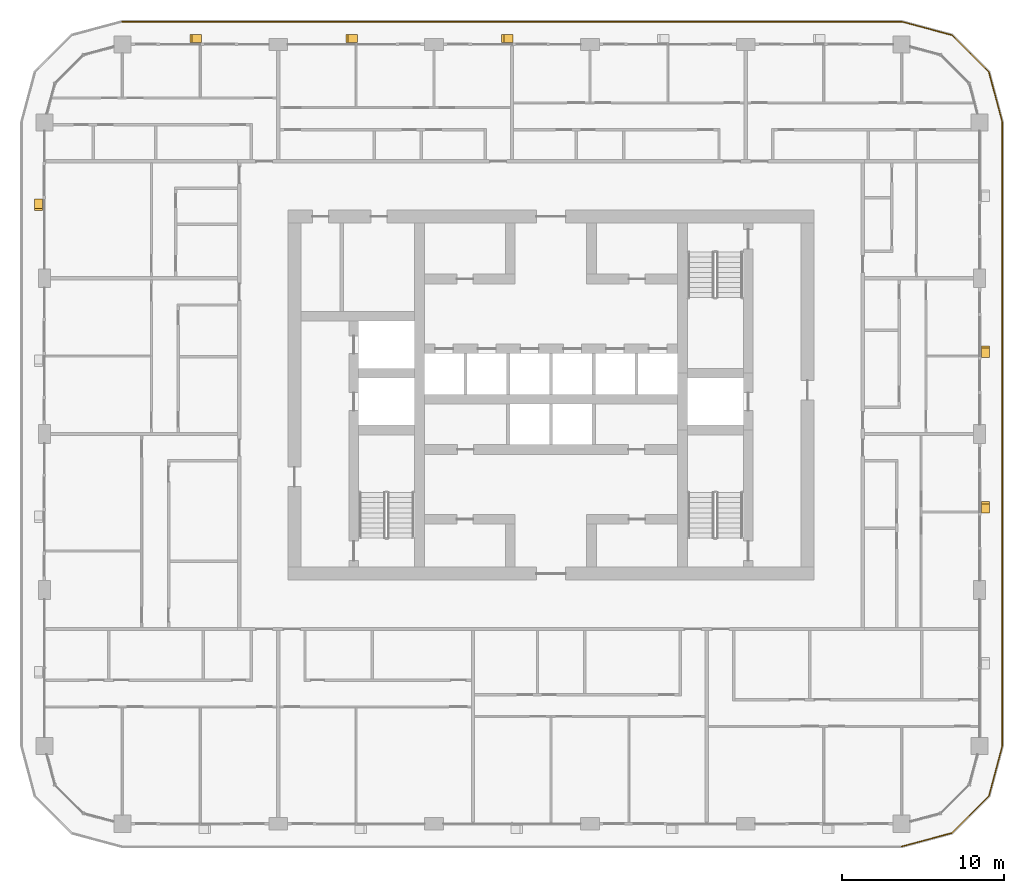
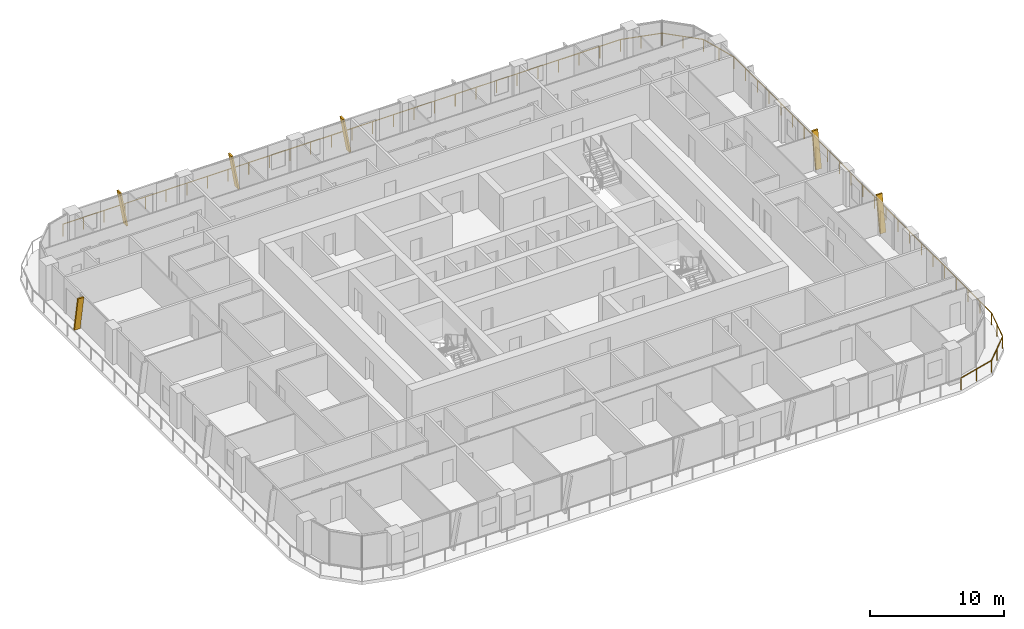
# One storey, part 21 of 22: 6 shading devices, 1 railing.
"""IFC4 building model written with IfcOpenShell, lengths in metres."""

from ifc_helpers import new_model, si_unit, direction, frame, origin, origin_2d, place, context, subcontext, project, spatial, polyline, circle, outline, extrude, material, type_object, element, save


model = new_model("IFC4")

# Units and contexts
model_context = context("Model", 3, precision=1e-05, world=origin(), true_north=direction((0.0, 1.0)))
body_context = subcontext(model_context, "Body", "Model", "MODEL_VIEW")
ifc_project = project(units=[si_unit("LENGTHUNIT", "METRE"), si_unit("AREAUNIT", "SQUARE_METRE"), si_unit("VOLUMEUNIT", "CUBIC_METRE"), si_unit("PLANEANGLEUNIT", "RADIAN"), si_unit("MASSUNIT", "GRAM", prefix="KILO")], contexts=[model_context])

# Site, building, storey
site_placement = place(None, origin())
site = spatial("IfcSite", under=ifc_project, at=site_placement, CompositionType="ELEMENT")
building_placement = place(site_placement, origin())
building = spatial("IfcBuilding", under=site, at=building_placement, Name="Madar Terraces", CompositionType="ELEMENT")
storey_placement = place(building_placement, frame((0.0, 0.0, 152.5)))
storey = spatial("IfcBuildingStorey", under=building, at=storey_placement, Name="L39", CompositionType="ELEMENT", Elevation=152.5)

# Railing
ifc_material_1 = material(Name="Glass, safety glazing, with stainless steel posts", Category="steel")
railing_type = type_object("IfcRailingType", Name="Balcony glass guard 1100", PredefinedType="GUARDRAIL", material=ifc_material_1)
railing_placement = place(storey_placement, frame((52.800048828125, -1.39990234375, 0.0)))
element("IfcRailing", 1, at=railing_placement, inside=storey, type_object=railing_type, Name="Balcony guard", PredefinedType="GUARDRAIL", context=body_context, shape_type="SweptSolid", body=[
    extrude(circle(Radius=0.02392578125, at=origin_2d()), frame((0.0, 0.0, 1.076171875), z_axis=(0.965928696102, 0.258808334578, 0.0), x_axis=(-0.258808334578, 0.965928696102, 0.0)), (0.0, 0.0, 1.0), 3.209228515625),
    extrude(circle(Radius=0.02392578125, at=origin_2d()), frame((3.099853515625, 0.83056640625, 1.076171875), z_axis=(0.707144815061, 0.707068745266, 0.0), x_axis=(-0.707068745266, 0.707144815061, 0.0)), (0.0, 0.0, 1.0), 3.20947265625),
    extrude(circle(Radius=0.02392578125, at=origin_2d()), frame((5.369384765625, 3.099853515625, 1.076171875), z_axis=(0.258789317819, 0.9659337912, 0.0), x_axis=(-0.9659337912, 0.258789317819, 0.0)), (0.0, 0.0, 1.0), 3.20947265625),
    extrude(circle(Radius=0.02392578125, at=origin_2d()), frame((6.199951171875, 6.199951171875, 1.076171875), z_axis=(0.0, 1.0, 0.0), x_axis=(-1.0, 0.0, 0.0)), (0.0, 0.0, 1.0), 38.39990234375),
    extrude(circle(Radius=0.02392578125, at=origin_2d()), frame((6.199951171875, 44.599853515625, 1.076171875), z_axis=(-0.258789317819, 0.9659337912, 0.0), x_axis=(-0.9659337912, -0.258789317819, 0.0)), (0.0, 0.0, 1.0), 3.20947265625),
    extrude(circle(Radius=0.02392578125, at=origin_2d()), frame((5.369384765625, 47.699951171875, 1.076171875), z_axis=(-0.707144815061, 0.707068745266, 0.0), x_axis=(-0.707068745266, -0.707144815061, 0.0)), (0.0, 0.0, 1.0), 3.20947265625),
    extrude(circle(Radius=0.02392578125, at=origin_2d()), frame((3.099853515625, 49.96923828125, 1.076171875), z_axis=(-0.965928696102, 0.258808334578, 0.0), x_axis=(-0.258808334578, -0.965928696102, 0.0)), (0.0, 0.0, 1.0), 3.209228515625),
    extrude(circle(Radius=0.02392578125, at=origin_2d()), frame((0.0, 50.7998046875, 1.076171875), z_axis=(-1.0, 0.0, 0.0), x_axis=(0.0, -1.0, 0.0)), (0.0, 0.0, 1.0), 48.0),
    extrude(circle(Radius=0.02099609375, at=origin_2d()), origin(), (0.0, 0.0, 1.0), 1.052001953125),
    extrude(circle(Radius=0.02099609375, at=origin_2d()), frame((1.5498046875, 0.415283203125, 0.0)), (0.0, 0.0, 1.0), 1.052001953125),
    extrude(circle(Radius=0.02099609375, at=origin_2d()), frame((3.099853515625, 0.83056640625, 0.0)), (0.0, 0.0, 1.0), 1.052001953125),
    extrude(circle(Radius=0.02099609375, at=origin_2d()), frame((4.234619140625, 1.96533203125, 0.0)), (0.0, 0.0, 1.0), 1.052001953125),
    extrude(circle(Radius=0.02099609375, at=origin_2d()), frame((5.369384765625, 3.099853515625, 0.0)), (0.0, 0.0, 1.0), 1.052001953125),
    extrude(circle(Radius=0.02099609375, at=origin_2d()), frame((5.78466796875, 4.64990234375, 0.0)), (0.0, 0.0, 1.0), 1.052001953125),
    extrude(circle(Radius=0.02099609375, at=origin_2d()), frame((6.199951171875, 6.199951171875, 0.0)), (0.0, 0.0, 1.0), 1.052001953125),
    extrude(circle(Radius=0.02099609375, at=origin_2d()), frame((6.199951171875, 7.9453125, 0.0)), (0.0, 0.0, 1.0), 1.052001953125),
    extrude(circle(Radius=0.02099609375, at=origin_2d()), frame((6.199951171875, 9.69091796875, 0.0)), (0.0, 0.0, 1.0), 1.052001953125),
    extrude(circle(Radius=0.02099609375, at=origin_2d()), frame((6.199951171875, 11.436279296875, 0.0)), (0.0, 0.0, 1.0), 1.052001953125),
    extrude(circle(Radius=0.02099609375, at=origin_2d()), frame((6.199951171875, 13.181640625, 0.0)), (0.0, 0.0, 1.0), 1.052001953125),
    extrude(circle(Radius=0.02099609375, at=origin_2d()), frame((6.199951171875, 14.92724609375, 0.0)), (0.0, 0.0, 1.0), 1.052001953125),
    extrude(circle(Radius=0.02099609375, at=origin_2d()), frame((6.199951171875, 16.672607421875, 0.0)), (0.0, 0.0, 1.0), 1.052001953125),
    extrude(circle(Radius=0.02099609375, at=origin_2d()), frame((6.199951171875, 18.418212890625, 0.0)), (0.0, 0.0, 1.0), 1.052001953125),
    extrude(circle(Radius=0.02099609375, at=origin_2d()), frame((6.199951171875, 20.16357421875, 0.0)), (0.0, 0.0, 1.0), 1.052001953125),
    extrude(circle(Radius=0.02099609375, at=origin_2d()), frame((6.199951171875, 21.908935546875, 0.0)), (0.0, 0.0, 1.0), 1.052001953125),
    extrude(circle(Radius=0.02099609375, at=origin_2d()), frame((6.199951171875, 23.654541015625, 0.0)), (0.0, 0.0, 1.0), 1.052001953125),
    extrude(circle(Radius=0.02099609375, at=origin_2d()), frame((6.199951171875, 25.39990234375, 0.0)), (0.0, 0.0, 1.0), 1.052001953125),
    extrude(circle(Radius=0.02099609375, at=origin_2d()), frame((6.199951171875, 27.145263671875, 0.0)), (0.0, 0.0, 1.0), 1.052001953125),
    extrude(circle(Radius=0.02099609375, at=origin_2d()), frame((6.199951171875, 28.890869140625, 0.0)), (0.0, 0.0, 1.0), 1.052001953125),
    extrude(circle(Radius=0.02099609375, at=origin_2d()), frame((6.199951171875, 30.63623046875, 0.0)), (0.0, 0.0, 1.0), 1.052001953125),
    extrude(circle(Radius=0.02099609375, at=origin_2d()), frame((6.199951171875, 32.381591796875, 0.0)), (0.0, 0.0, 1.0), 1.052001953125),
    extrude(circle(Radius=0.02099609375, at=origin_2d()), frame((6.199951171875, 34.127197265625, 0.0)), (0.0, 0.0, 1.0), 1.052001953125),
    extrude(circle(Radius=0.02099609375, at=origin_2d()), frame((6.199951171875, 35.87255859375, 0.0)), (0.0, 0.0, 1.0), 1.052001953125),
    extrude(circle(Radius=0.02099609375, at=origin_2d()), frame((6.199951171875, 37.6181640625, 0.0)), (0.0, 0.0, 1.0), 1.052001953125),
    extrude(circle(Radius=0.02099609375, at=origin_2d()), frame((6.199951171875, 39.363525390625, 0.0)), (0.0, 0.0, 1.0), 1.052001953125),
    extrude(circle(Radius=0.02099609375, at=origin_2d()), frame((6.199951171875, 41.10888671875, 0.0)), (0.0, 0.0, 1.0), 1.052001953125),
    extrude(circle(Radius=0.02099609375, at=origin_2d()), frame((6.199951171875, 42.8544921875, 0.0)), (0.0, 0.0, 1.0), 1.052001953125),
    extrude(circle(Radius=0.02099609375, at=origin_2d()), frame((6.199951171875, 44.599853515625, 0.0)), (0.0, 0.0, 1.0), 1.052001953125),
    extrude(circle(Radius=0.02099609375, at=origin_2d()), frame((5.78466796875, 46.14990234375, 0.0)), (0.0, 0.0, 1.0), 1.052001953125),
    extrude(circle(Radius=0.02099609375, at=origin_2d()), frame((5.369384765625, 47.699951171875, 0.0)), (0.0, 0.0, 1.0), 1.052001953125),
    extrude(circle(Radius=0.02099609375, at=origin_2d()), frame((4.234619140625, 48.83447265625, 0.0)), (0.0, 0.0, 1.0), 1.052001953125),
    extrude(circle(Radius=0.02099609375, at=origin_2d()), frame((3.099853515625, 49.96923828125, 0.0)), (0.0, 0.0, 1.0), 1.052001953125),
    extrude(circle(Radius=0.02099609375, at=origin_2d()), frame((1.5498046875, 50.384521484375, 0.0)), (0.0, 0.0, 1.0), 1.052001953125),
    extrude(circle(Radius=0.02099609375, at=origin_2d()), frame((0.0, 50.7998046875, 0.0)), (0.0, 0.0, 1.0), 1.052001953125),
    extrude(circle(Radius=0.02099609375, at=origin_2d()), frame((-1.77783203125, 50.7998046875, 0.0)), (0.0, 0.0, 1.0), 1.052001953125),
    extrude(circle(Radius=0.02099609375, at=origin_2d()), frame((-3.5556640625, 50.7998046875, 0.0)), (0.0, 0.0, 1.0), 1.052001953125),
    extrude(circle(Radius=0.02099609375, at=origin_2d()), frame((-5.333251953125, 50.7998046875, 0.0)), (0.0, 0.0, 1.0), 1.052001953125),
    extrude(circle(Radius=0.02099609375, at=origin_2d()), frame((-7.111083984375, 50.7998046875, 0.0)), (0.0, 0.0, 1.0), 1.052001953125),
    extrude(circle(Radius=0.02099609375, at=origin_2d()), frame((-8.888916015625, 50.7998046875, 0.0)), (0.0, 0.0, 1.0), 1.052001953125),
    extrude(circle(Radius=0.02099609375, at=origin_2d()), frame((-10.666748046875, 50.7998046875, 0.0)), (0.0, 0.0, 1.0), 1.052001953125),
    extrude(circle(Radius=0.02099609375, at=origin_2d()), frame((-12.4443359375, 50.7998046875, 0.0)), (0.0, 0.0, 1.0), 1.052001953125),
    extrude(circle(Radius=0.02099609375, at=origin_2d()), frame((-14.22216796875, 50.7998046875, 0.0)), (0.0, 0.0, 1.0), 1.052001953125),
    extrude(circle(Radius=0.02099609375, at=origin_2d()), frame((-16.0, 50.7998046875, 0.0)), (0.0, 0.0, 1.0), 1.052001953125),
    extrude(circle(Radius=0.02099609375, at=origin_2d()), frame((-17.77783203125, 50.7998046875, 0.0)), (0.0, 0.0, 1.0), 1.052001953125),
    extrude(circle(Radius=0.02099609375, at=origin_2d()), frame((-19.5556640625, 50.7998046875, 0.0)), (0.0, 0.0, 1.0), 1.052001953125),
    extrude(circle(Radius=0.02099609375, at=origin_2d()), frame((-21.333251953125, 50.7998046875, 0.0)), (0.0, 0.0, 1.0), 1.052001953125),
    extrude(circle(Radius=0.02099609375, at=origin_2d()), frame((-23.111083984375, 50.7998046875, 0.0)), (0.0, 0.0, 1.0), 1.052001953125),
    extrude(circle(Radius=0.02099609375, at=origin_2d()), frame((-24.888916015625, 50.7998046875, 0.0)), (0.0, 0.0, 1.0), 1.052001953125),
    extrude(circle(Radius=0.02099609375, at=origin_2d()), frame((-26.666748046875, 50.7998046875, 0.0)), (0.0, 0.0, 1.0), 1.052001953125),
    extrude(circle(Radius=0.02099609375, at=origin_2d()), frame((-28.4443359375, 50.7998046875, 0.0)), (0.0, 0.0, 1.0), 1.052001953125),
    extrude(circle(Radius=0.02099609375, at=origin_2d()), frame((-30.22216796875, 50.7998046875, 0.0)), (0.0, 0.0, 1.0), 1.052001953125),
    extrude(circle(Radius=0.02099609375, at=origin_2d()), frame((-32.0, 50.7998046875, 0.0)), (0.0, 0.0, 1.0), 1.052001953125),
    extrude(circle(Radius=0.02099609375, at=origin_2d()), frame((-33.77783203125, 50.7998046875, 0.0)), (0.0, 0.0, 1.0), 1.052001953125),
    extrude(circle(Radius=0.02099609375, at=origin_2d()), frame((-35.5556640625, 50.7998046875, 0.0)), (0.0, 0.0, 1.0), 1.052001953125),
    extrude(circle(Radius=0.02099609375, at=origin_2d()), frame((-37.333251953125, 50.7998046875, 0.0)), (0.0, 0.0, 1.0), 1.052001953125),
    extrude(circle(Radius=0.02099609375, at=origin_2d()), frame((-39.111083984375, 50.7998046875, 0.0)), (0.0, 0.0, 1.0), 1.052001953125),
    extrude(circle(Radius=0.02099609375, at=origin_2d()), frame((-40.888916015625, 50.7998046875, 0.0)), (0.0, 0.0, 1.0), 1.052001953125),
    extrude(circle(Radius=0.02099609375, at=origin_2d()), frame((-42.666748046875, 50.7998046875, 0.0)), (0.0, 0.0, 1.0), 1.052001953125),
    extrude(circle(Radius=0.02099609375, at=origin_2d()), frame((-44.4443359375, 50.7998046875, 0.0)), (0.0, 0.0, 1.0), 1.052001953125),
    extrude(circle(Radius=0.02099609375, at=origin_2d()), frame((-46.22216796875, 50.7998046875, 0.0)), (0.0, 0.0, 1.0), 1.052001953125),
    extrude(circle(Radius=0.02099609375, at=origin_2d()), frame((-48.0, 50.7998046875, 0.0)), (0.0, 0.0, 1.0), 1.052001953125),
])

# Shading devices
ifc_material_2 = material(Name="Aluminium, black anodised", Category="aluminium")
shading_device_type = type_object("IfcShadingDeviceType", Name="Facade fin blade 140 x 500", PredefinedType="USERDEFINED", material=ifc_material_2)
for number, where, z_axis, x_axis, name in (
    (2, (57.949951171875, 19.1298828125, 0.0), (0.0, 0.0, 1.0), (0.0, 1.0, 0.0), "FIN L39 E2"),
    (3, (57.949951171875, 28.72998046875, 0.0), (0.0, 0.0, 1.0), (0.0, 1.0, 0.0), "FIN L39 E3"),
    (4, (28.8701171875, 48.35009765625, 0.0), (0.0, 0.0, 1.0), (-1.0, 0.0, 0.0), "FIN L39 N3"),
    (5, (19.27001953125, 48.35009765625, 0.0), (0.0, 0.0, 1.0), (-1.0, 0.0, 0.0), "FIN L39 N4"),
):
    element("IfcShadingDevice", number, at=place(storey_placement, frame(where, z_axis=z_axis, x_axis=x_axis)), inside=storey, type_object=shading_device_type, Name=name, ObjectType="FIN", PredefinedType="USERDEFINED", context=body_context, shape_type="SweptSolid", body=[
        extrude(outline(polyline([(0.0, 0.0), (0.14013671875, 0.0), (0.704345703125, 3.199951171875), (0.564208984375, 3.199951171875), (0.0, 0.0)])), frame((0.0, 0.25, 0.0), z_axis=(0.0, -1.0, 0.0), x_axis=(1.0, 0.0, 0.0)), (0.0, 0.0, 1.0), 0.5),
    ])
for number, where, z_axis, x_axis, name in (
    (6, (9.669921875, 48.35009765625, 0.0), (0.0, 0.0, 1.0), (-1.0, 0.0, 0.0), "FIN L39 N5"),
    (7, (-0.35009765625, 38.469970703125, 0.0), (0.0, 0.0, 1.0), (0.0, -1.0, 0.0), "FIN L39 W1"),
):
    element("IfcShadingDevice", number, at=place(storey_placement, frame(where, z_axis=z_axis, x_axis=x_axis)), inside=storey, type_object=shading_device_type, Name=name, ObjectType="FIN", PredefinedType="USERDEFINED", context=body_context, shape_type="SweptSolid", body=[
        extrude(outline(polyline([(0.0, 0.0), (0.139892578125, 0.0), (0.704345703125, 3.199951171875), (0.564208984375, 3.199951171875), (0.0, 0.0)])), frame((0.0, 0.25, 0.0), z_axis=(0.0, -1.0, 0.0), x_axis=(1.0, 0.0, 0.0)), (0.0, 0.0, 1.0), 0.5),
    ])

save(model, "model.ifc")
